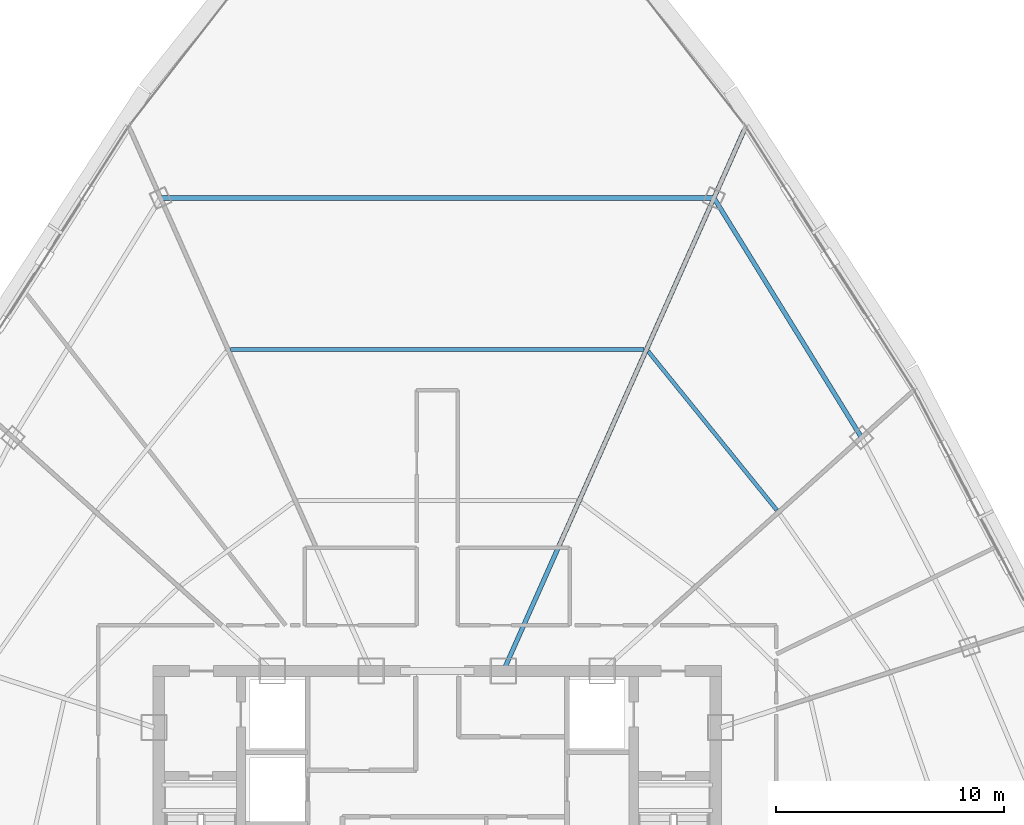
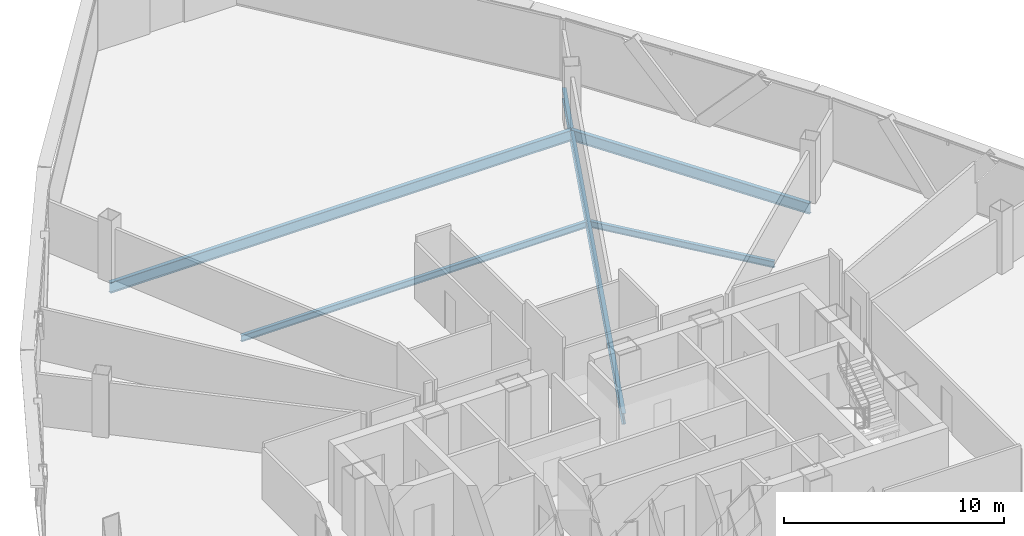
# One storey, part 22 of 37: 5 beams.
"""IFC4 building model written with IfcOpenShell, lengths in metres."""

from ifc_helpers import new_model, si_unit, direction, frame, origin, origin_2d, place, context, subcontext, project, spatial, i_section, extrude, source, transform, mapped, material, material_profile, profile_set, type_object, element, save


model = new_model("IFC4")

# Units and contexts
model_context = context("Model", 3, precision=1e-05, world=origin(), true_north=direction((0.0, 1.0)))
body_context = subcontext(model_context, "Body", "Model", "MODEL_VIEW")
ifc_project = project(units=[si_unit("LENGTHUNIT", "METRE"), si_unit("AREAUNIT", "SQUARE_METRE"), si_unit("VOLUMEUNIT", "CUBIC_METRE"), si_unit("PLANEANGLEUNIT", "RADIAN"), si_unit("MASSUNIT", "GRAM", prefix="KILO"), si_unit("THERMODYNAMICTEMPERATUREUNIT", "KELVIN"), si_unit("POWERUNIT", "WATT")], contexts=[model_context])

# Site, building, storey
site_placement = place(None, origin())
site = spatial("IfcSite", under=ifc_project, at=site_placement, CompositionType="ELEMENT")
building_placement = place(site_placement, origin())
building = spatial("IfcBuilding", under=site, at=building_placement, Name="Yunzhuo Pagoda Commons", CompositionType="ELEMENT")
storey_placement = place(building_placement, frame((0.0, 0.0, 281.2900390625)))
storey = spatial("IfcBuildingStorey", under=building, at=storey_placement, Name="L70", CompositionType="ELEMENT", Elevation=281.2900390625)

# Beams
ifc_material = material(Name="Structural steel Q355B", Category="steel")
ifc_material_profile_1 = material_profile(ifc_material, i_section(OverallWidth=0.199951171875, OverallDepth=0.60009765625, WebThickness=0.010986328125, FlangeThickness=0.01708984375, at=origin_2d()), Name="Structural steel Q355B")
ifc_profile_set_1 = profile_set([ifc_material_profile_1], Name="Structural steel Q355B")
beam_type_1 = type_object("IfcBeamType", Name="B-RG3 Beam HN 600x200x11x17", PredefinedType="BEAM", material=ifc_profile_set_1)
shared_shape_1 = source(origin(), body_context, "Body", "SweptSolid", [
    extrude(i_section(OverallWidth=0.199951171875, OverallDepth=0.60009765625, WebThickness=0.010986328125, FlangeThickness=0.01708984375, at=origin_2d()), origin(), (0.0, 0.0, 1.0), 25.947265625),
])
beam_1_placement = place(storey_placement, frame((61.44775390625, 63.904052734375, -0.559814453125), z_axis=(-0.406735516134, -0.913545959389, 0.0), x_axis=(0.913545959389, -0.406735516134, 0.0)))
element("IfcBeam", 1, at=beam_1_placement, inside=storey, type_object=beam_type_1, Name="L70 radial floor girder F2C4", PredefinedType="BEAM", context=body_context, shape_type="MappedRepresentation", body=[
    mapped(shared_shape_1, transform((0.0, 0.0, 0.0), scale=1.0)),
])
shared_shape_2 = source(origin(), body_context, "Body", "SweptSolid", [
    extrude(i_section(OverallWidth=0.199951171875, OverallDepth=0.60009765625, WebThickness=0.010986328125, FlangeThickness=0.01708984375, at=origin_2d()), origin(), (0.0, 0.0, 1.0), 12.315185546875),
])
beam_2_placement = place(storey_placement, frame((66.5732421875, 50.423583984375, -0.559814453125), z_axis=(-0.524469015689, 0.851429534126, 0.0), x_axis=(-0.851429534126, -0.524469015689, 0.0)))
element("IfcBeam", 2, at=beam_2_placement, inside=storey, type_object=beam_type_1, Name="L70 column-ring beam 7", PredefinedType="BEAM", context=body_context, shape_type="MappedRepresentation", body=[
    mapped(shared_shape_2, transform((0.0, 0.0, 0.0), scale=1.0)),
])
ifc_material_profile_2 = material_profile(ifc_material, i_section(OverallWidth=0.175048828125, OverallDepth=0.35009765625, WebThickness=0.007080078125, FlangeThickness=0.010986328125, at=origin_2d()), Name="Structural steel Q355B")
ifc_profile_set_2 = profile_set([ifc_material_profile_2], Name="Structural steel Q355B")
beam_type_2 = type_object("IfcBeamType", Name="B-JS2 Joist HN 350x175x7x11", PredefinedType="JOIST", material=ifc_profile_set_2)
shared_shape_3 = source(origin(), body_context, "Body", "SweptSolid", [
    extrude(i_section(OverallWidth=0.175048828125, OverallDepth=0.35009765625, WebThickness=0.007080078125, FlangeThickness=0.010986328125, at=origin_2d()), origin(), (0.0, 0.0, 1.0), 8.9462890625),
])
beam_3_placement = place(storey_placement, frame((62.867431640625, 47.2412109375, -0.434814453125), z_axis=(-0.629455685791, 0.777036382434, 0.0), x_axis=(-0.777036382434, -0.629455685791, 0.0)))
element("IfcBeam", 3, at=beam_3_placement, inside=storey, type_object=beam_type_2, Name="L70 composite ring joist 2.7", PredefinedType="JOIST", context=body_context, shape_type="MappedRepresentation", body=[
    mapped(shared_shape_3, transform((0.0, 0.0, 0.0), scale=1.0)),
])
shared_shape_4 = source(origin(), body_context, "Body", "SweptSolid", [
    extrude(i_section(OverallWidth=0.199951171875, OverallDepth=0.60009765625, WebThickness=0.010986328125, FlangeThickness=0.01708984375, at=origin_2d()), origin(), (0.0, 0.0, 1.0), 24.228515625),
])
beam_4_placement = place(storey_placement, frame((60.1142578125, 60.9091796875, -0.559814453125), z_axis=(-1.0, 0.0, 0.0), x_axis=(0.0, -1.0, 0.0)))
element("IfcBeam", 4, at=beam_4_placement, inside=storey, type_object=beam_type_1, Name="L70 column-ring beam 8", PredefinedType="BEAM", context=body_context, shape_type="MappedRepresentation", body=[
    mapped(shared_shape_4, transform((0.0, 0.0, 0.0), scale=1.0)),
])
shared_shape_5 = source(origin(), body_context, "Body", "SweptSolid", [
    extrude(i_section(OverallWidth=0.175048828125, OverallDepth=0.35009765625, WebThickness=0.007080078125, FlangeThickness=0.010986328125, at=origin_2d()), origin(), (0.0, 0.0, 1.0), 18.09765625),
])
beam_5_placement = place(storey_placement, frame((57.048828125, 54.2822265625, -0.434814453125), z_axis=(-1.0, 0.0, 0.0), x_axis=(0.0, -1.0, 0.0)))
element("IfcBeam", 5, at=beam_5_placement, inside=storey, type_object=beam_type_2, Name="L70 composite ring joist 2.8", PredefinedType="JOIST", context=body_context, shape_type="MappedRepresentation", body=[
    mapped(shared_shape_5, transform((0.0, 0.0, 0.0), scale=1.0)),
])

save(model, "model.ifc")
